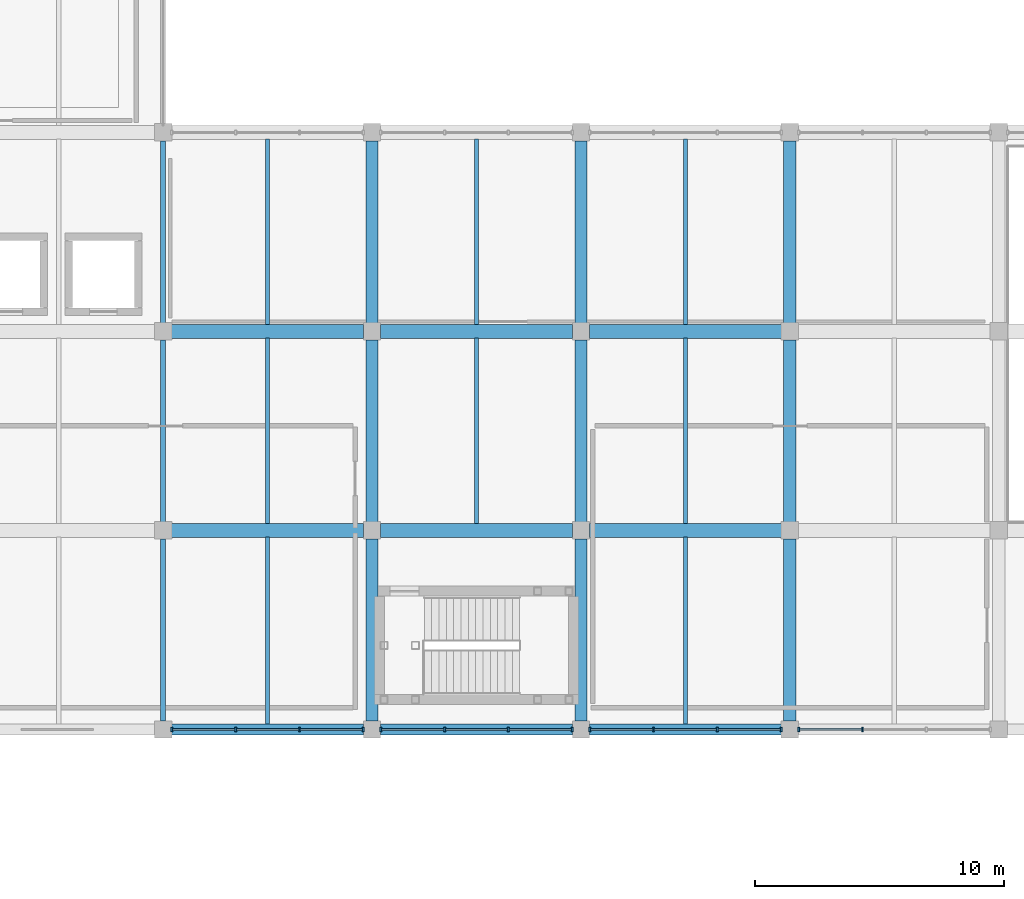
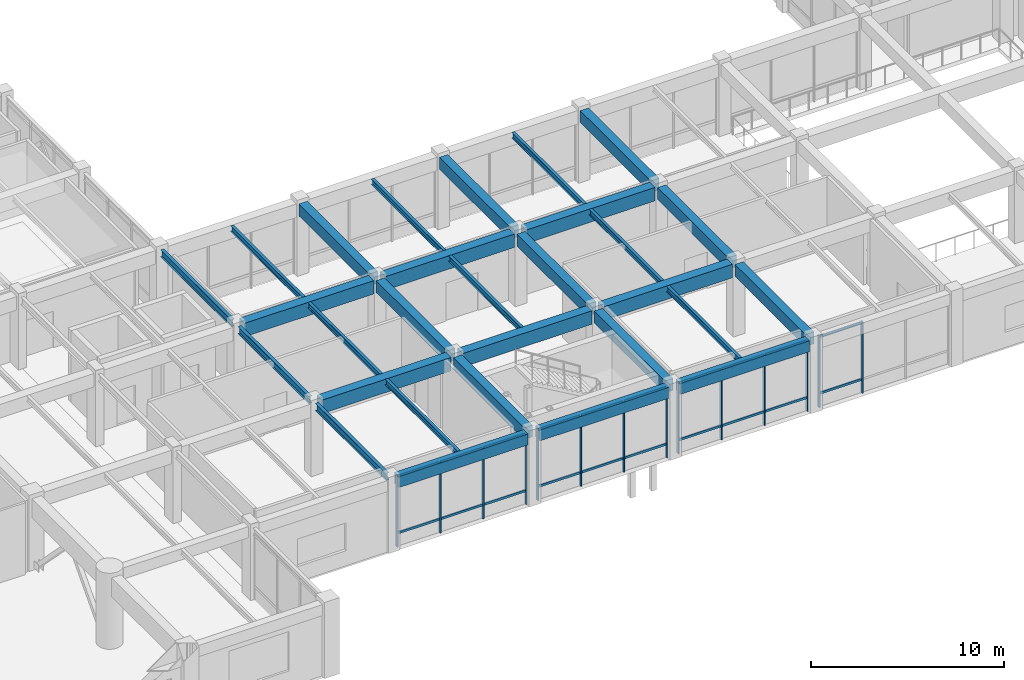
# One storey, part 17 of 76: 34 members, 29 beams, 4 elements without a shape of their own.
"""IFC4 building model written with IfcOpenShell, lengths in metres."""

from ifc_helpers import new_model, si_unit, direction, frame, origin, origin_2d, place, context, subcontext, project, spatial, rectangle, i_section, extrude, material, layer, layer_set, material_profile, profile_set, type_object, element, aggregate, save


model = new_model("IFC4")

# Units and contexts
model_context = context("Model", 3, precision=1e-05, world=origin(), true_north=direction((0.0, 1.0)))
body_context = subcontext(model_context, "Body", "Model", "MODEL_VIEW")
ifc_project = project(units=[si_unit("LENGTHUNIT", "METRE"), si_unit("AREAUNIT", "SQUARE_METRE"), si_unit("VOLUMEUNIT", "CUBIC_METRE"), si_unit("PLANEANGLEUNIT", "RADIAN"), si_unit("MASSUNIT", "GRAM", prefix="KILO")], contexts=[model_context])

# Site, building, storey
site_placement = place(None, origin())
site = spatial("IfcSite", under=ifc_project, at=site_placement, CompositionType="ELEMENT")
building_placement = place(site_placement, origin())
building = spatial("IfcBuilding", under=site, at=building_placement, Name="Naruveol Harbour Congress Hotel", CompositionType="ELEMENT")
storey_placement = place(building_placement, frame((0.0, 0.0, 11.39990234375)))
storey = spatial("IfcBuildingStorey", under=building, at=storey_placement, Name="L02", CompositionType="ELEMENT", Elevation=11.39990234375)

# Beams
ifc_material_1 = material(Name="Concrete C40/50", Category="concrete")
ifc_material_profile_1 = material_profile(ifc_material_1, rectangle(XDim=0.5, YDim=0.75, at=origin_2d()), Name="RCB-500x750")
ifc_profile_set_1 = profile_set([ifc_material_profile_1], Name="Concrete C40/50")
beam_type_1 = type_object("IfcBeamType", Name="RC FLOOR GIRDER 500X750", PredefinedType="BEAM", material=ifc_profile_set_1)
for number, where, z_axis, x_axis, name in (
    (1, (75.60009765625, 8.345947265625, 4.175048828125), (0.0, 1.0, 0.0), (-1.0, 0.0, 0.0), "Transverse girder L03 CB3"),
    (2, (75.60009765625, 16.345947265625, 4.175048828125), (0.0, 1.0, 0.0), (-1.0, 0.0, 0.0), "Transverse girder L03 CB3"),
    (3, (75.60009765625, 24.345947265625, 4.175048828125), (0.0, 1.0, 0.0), (-1.0, 0.0, 0.0), "Transverse girder L03 CB3"),
    (4, (84.0, 8.345947265625, 4.175048828125), (0.0, 1.0, 0.0), (-1.0, 0.0, 0.0), "Transverse girder L03 CB3"),
    (5, (84.0, 16.345947265625, 4.175048828125), (0.0, 1.0, 0.0), (-1.0, 0.0, 0.0), "Transverse girder L03 CB3"),
    (6, (84.0, 24.345947265625, 4.175048828125), (0.0, 1.0, 0.0), (-1.0, 0.0, 0.0), "Transverse girder L03 CB3"),
    (7, (92.39990234375, 8.345947265625, 4.175048828125), (0.0, 1.0, 0.0), (-1.0, 0.0, 0.0), "Transverse girder L03 CB3"),
    (8, (92.39990234375, 16.345947265625, 4.175048828125), (0.0, 1.0, 0.0), (-1.0, 0.0, 0.0), "Transverse girder L03 CB3"),
    (9, (92.39990234375, 24.345947265625, 4.175048828125), (0.0, 1.0, 0.0), (-1.0, 0.0, 0.0), "Transverse girder L03 CB3"),
):
    element("IfcBeam", number, at=place(storey_placement, frame(where, z_axis=z_axis, x_axis=x_axis)), inside=storey, type_object=beam_type_1, Name=name, PredefinedType="BEAM", context=body_context, shape_type="SweptSolid", body=[
        extrude(rectangle(XDim=0.5, YDim=0.75, at=origin_2d()), origin(), (0.0, 0.0, 1.0), 7.30810546875),
    ])
ifc_material_2 = material(Name="Concrete C40/50", Category="concrete")
ifc_material_profile_2 = material_profile(ifc_material_2, rectangle(XDim=0.550048828125, YDim=0.85009765625, at=origin_2d()), Name="RCB-550x850")
ifc_profile_set_2 = profile_set([ifc_material_profile_2], Name="Concrete C40/50")
beam_type_2 = type_object("IfcBeamType", Name="RC PRIMARY GIRDER 550X850", PredefinedType="BEAM", material=ifc_profile_set_2)
for number, where, z_axis, x_axis, name in (
    (10, (67.5458984375, 16.0, 4.125), (1.0, 0.0, 0.0), (0.0, 1.0, 0.0), "Floor girder L03 CB2"),
    (11, (75.946044921875, 16.0, 4.125), (1.0, 0.0, 0.0), (0.0, 1.0, 0.0), "Floor girder L03 CB2"),
    (12, (84.345947265625, 16.0, 4.125), (1.0, 0.0, 0.0), (0.0, 1.0, 0.0), "Floor girder L03 CB2"),
    (13, (67.5458984375, 24.0, 4.125), (1.0, 0.0, 0.0), (0.0, 1.0, 0.0), "Floor girder L03 CB2"),
    (14, (75.946044921875, 24.0, 4.125), (1.0, 0.0, 0.0), (0.0, 1.0, 0.0), "Floor girder L03 CB2"),
    (15, (84.345947265625, 24.0, 4.125), (1.0, 0.0, 0.0), (0.0, 1.0, 0.0), "Floor girder L03 CB2"),
):
    element("IfcBeam", number, at=place(storey_placement, frame(where, z_axis=z_axis, x_axis=x_axis)), inside=storey, type_object=beam_type_2, Name=name, PredefinedType="BEAM", context=body_context, shape_type="SweptSolid", body=[
        extrude(rectangle(XDim=0.550048828125, YDim=0.85009765625, at=origin_2d()), origin(), (0.0, 0.0, 1.0), 7.7080078125),
    ])
ifc_material_3 = material(Name="Concrete C40/50", Category="concrete")
ifc_material_profile_3 = material_profile(ifc_material_3, rectangle(XDim=0.449951171875, YDim=0.699951171875, at=origin_2d()), Name="RCB-450x700")
ifc_profile_set_3 = profile_set([ifc_material_profile_3], Name="Concrete C40/50")
beam_type_3 = type_object("IfcBeamType", Name="RC SPANDREL BEAM 450X700", PredefinedType="SPANDREL", material=ifc_profile_set_3)
for number, where, z_axis, x_axis, name in (
    (16, (67.5458984375, 8.0, 4.2001953125), (1.0, 0.0, 0.0), (0.0, 1.0, 0.0), "Floor girder L03 SPB1"),
    (17, (75.946044921875, 8.0, 4.2001953125), (1.0, 0.0, 0.0), (0.0, 1.0, 0.0), "Floor girder L03 SPB1"),
    (18, (84.345947265625, 8.0, 4.2001953125), (1.0, 0.0, 0.0), (0.0, 1.0, 0.0), "Floor girder L03 SPB1"),
):
    element("IfcBeam", number, at=place(storey_placement, frame(where, z_axis=z_axis, x_axis=x_axis)), inside=storey, type_object=beam_type_3, Name=name, PredefinedType="SPANDREL", context=body_context, shape_type="SweptSolid", body=[
        extrude(rectangle(XDim=0.449951171875, YDim=0.699951171875, at=origin_2d()), origin(), (0.0, 0.0, 1.0), 7.7080078125),
    ])
ifc_material_4 = material(Name="Steel SN490", Category="steel")
ifc_material_profile_4 = material_profile(ifc_material_4, i_section(OverallWidth=0.175048828125, OverallDepth=0.35009765625, WebThickness=0.007080078125, FlangeThickness=0.010986328125, at=origin_2d()), Name="H-350x175x7x11")
ifc_profile_set_4 = profile_set([ifc_material_profile_4], Name="Steel SN490")
beam_type_4 = type_object("IfcBeamType", Name="STEEL SECONDARY JOIST H350", PredefinedType="JOIST", material=ifc_profile_set_4)
for number, where, z_axis, x_axis, name in (
    (19, (71.39990234375, 8.220947265625, 4.375), (0.0, 1.0, 0.0), (-1.0, 0.0, 0.0), "Secondary floor joist L03 SJ2"),
    (20, (88.199951171875, 8.220947265625, 4.375), (0.0, 1.0, 0.0), (-1.0, 0.0, 0.0), "Secondary floor joist L03 SJ2"),
):
    element("IfcBeam", number, at=place(storey_placement, frame(where, z_axis=z_axis, x_axis=x_axis)), inside=storey, type_object=beam_type_4, Name=name, PredefinedType="JOIST", context=body_context, shape_type="SweptSolid", body=[
        extrude(i_section(OverallWidth=0.175048828125, OverallDepth=0.35009765625, WebThickness=0.007080078125, FlangeThickness=0.010986328125, at=origin_2d()), origin(), (0.0, 0.0, 1.0), 7.508056640625),
    ])
for number, where, z_axis, x_axis, name in (
    (21, (71.39990234375, 16.27099609375, 4.375), (0.0, 1.0, 0.0), (-1.0, 0.0, 0.0), "Secondary floor joist L03 SJ2"),
    (22, (79.800048828125, 16.27099609375, 4.375), (0.0, 1.0, 0.0), (-1.0, 0.0, 0.0), "Secondary floor joist L03 SJ2"),
    (23, (88.199951171875, 16.27099609375, 4.375), (0.0, 1.0, 0.0), (-1.0, 0.0, 0.0), "Secondary floor joist L03 SJ2"),
    (24, (71.39990234375, 24.27099609375, 4.364990234375), (0.0, 1.0, 0.0), (-1.0, 0.0, 0.0), "Secondary floor joist L03 SJ2"),
    (25, (79.800048828125, 24.27099609375, 4.375), (0.0, 1.0, 0.0), (-1.0, 0.0, 0.0), "Secondary floor joist L03 SJ2"),
    (26, (88.199951171875, 24.27099609375, 4.375), (0.0, 1.0, 0.0), (-1.0, 0.0, 0.0), "Secondary floor joist L03 SJ2"),
):
    element("IfcBeam", number, at=place(storey_placement, frame(where, z_axis=z_axis, x_axis=x_axis)), inside=storey, type_object=beam_type_4, Name=name, PredefinedType="JOIST", context=body_context, shape_type="SweptSolid", body=[
        extrude(i_section(OverallWidth=0.175048828125, OverallDepth=0.35009765625, WebThickness=0.007080078125, FlangeThickness=0.010986328125, at=origin_2d()), origin(), (0.0, 0.0, 1.0), 7.4580078125),
    ])
ifc_material_5 = material(Name="Steel SN490", Category="steel")
ifc_material_profile_5 = material_profile(ifc_material_5, i_section(OverallWidth=0.199951171875, OverallDepth=0.449951171875, WebThickness=0.009033203125, FlangeThickness=0.013916015625, at=origin_2d()), Name="H-450x200x9x14")
ifc_profile_set_5 = profile_set([ifc_material_profile_5], Name="Steel SN490")
beam_type_5 = type_object("IfcBeamType", Name="STEEL SPANDREL EDGE BEAM H450", PredefinedType="SPANDREL", material=ifc_profile_set_5)
for number, where, z_axis, x_axis, name in (
    (27, (67.199951171875, 8.345947265625, 4.3251953125), (0.0, 1.0, 0.0), (-1.0, 0.0, 0.0), "Transverse girder L03 SPB2"),
    (28, (67.199951171875, 16.345947265625, 4.3251953125), (0.0, 1.0, 0.0), (-1.0, 0.0, 0.0), "Transverse girder L03 SPB2"),
    (29, (67.199951171875, 24.345947265625, 4.315185546875), (0.0, 1.0, 0.0), (-1.0, 0.0, 0.0), "Transverse girder L03 SPB2"),
):
    element("IfcBeam", number, at=place(storey_placement, frame(where, z_axis=z_axis, x_axis=x_axis)), inside=storey, type_object=beam_type_5, Name=name, PredefinedType="SPANDREL", context=body_context, shape_type="SweptSolid", body=[
        extrude(i_section(OverallWidth=0.199951171875, OverallDepth=0.449951171875, WebThickness=0.009033203125, FlangeThickness=0.013916015625, at=origin_2d()), origin(), (0.0, 0.0, 1.0), 7.30810546875),
    ])

# Curtain wall, members
ifc_material_6 = material(Name="Low-E Curtain Wall System", Category="glass")
ifc_layer = layer(ifc_material_6, 0.179931640625)
ifc_layer_set = layer_set([ifc_layer], Name="Low-E Curtain Wall System")
curtain_wall_type = type_object("IfcCurtainWallType", Name="UNITISED CURTAIN WALL CW-V4S-38 7700X4500", PredefinedType="USERDEFINED", material=ifc_layer_set)
curtain_wall_1_placement = place(storey_placement, origin())
curtain_wall_1 = element("IfcCurtainWall", 30, at=curtain_wall_1_placement, inside=storey, type_object=curtain_wall_type, Name="Unitised curtain wall CW-V4S-38 L02", ObjectType="UNITISED GLAZING", PredefinedType="USERDEFINED")
ifc_material_7 = material(Name="Anodised Aluminium 6063-T6", Category="aluminium")
ifc_material_profile_6 = material_profile(ifc_material_7, rectangle(XDim=0.074951171875, YDim=0.179931640625, at=origin_2d()), Name="ALU-75x180")
ifc_profile_set_6 = profile_set([ifc_material_profile_6], Name="Anodised Aluminium 6063-T6")
member_type_1 = type_object("IfcMemberType", Name="THERMAL ALUMINIUM MULLION 75X180", PredefinedType="MULLION", material=ifc_profile_set_6)
member_1_placement = place(storey_placement, frame((95.316650390625, 8.0, 0.0), z_axis=(0.0, 0.0, 1.0), x_axis=(1.0, 0.0, 0.0)))
member_1 = element("IfcMember", 31, at=member_1_placement, type_object=member_type_1, Name="Curtain wall mullion CW-L02-0096-M2", PredefinedType="MULLION", context=body_context, shape_type="SweptSolid", body=[
    extrude(rectangle(XDim=0.074951171875, YDim=0.179931640625, at=origin_2d()), origin(), (0.0, 0.0, 1.0), 4.5),
])
member_2_placement = place(storey_placement, frame((92.75, 8.0, 0.0), z_axis=(0.0, 0.0, 1.0), x_axis=(1.0, 0.0, 0.0)))
member_2 = element("IfcMember", 32, at=member_2_placement, type_object=member_type_1, Name="Curtain wall mullion CW-L02-0096-M3", PredefinedType="MULLION", context=body_context, shape_type="SweptSolid", body=[
    extrude(rectangle(XDim=0.074951171875, YDim=0.179931640625, at=origin_2d()), origin(), (0.0, 0.0, 1.0), 4.5),
])

curtain_wall_2_placement = place(storey_placement, origin())
curtain_wall_2 = element("IfcCurtainWall", 33, at=curtain_wall_2_placement, inside=storey, type_object=curtain_wall_type, Name="Unitised curtain wall CW-V4S-38 L02", ObjectType="UNITISED GLAZING", PredefinedType="USERDEFINED")
member_3_placement = place(storey_placement, frame((92.050048828125, 8.0, 0.0), z_axis=(0.0, 0.0, 1.0), x_axis=(1.0, 0.0, 0.0)))
member_3 = element("IfcMember", 34, at=member_3_placement, type_object=member_type_1, Name="Curtain wall mullion CW-L02-0097-M0", PredefinedType="MULLION", context=body_context, shape_type="SweptSolid", body=[
    extrude(rectangle(XDim=0.074951171875, YDim=0.179931640625, at=origin_2d()), origin(), (0.0, 0.0, 1.0), 4.5),
])
member_4_placement = place(storey_placement, frame((89.4833984375, 8.0, 0.0), z_axis=(0.0, 0.0, 1.0), x_axis=(1.0, 0.0, 0.0)))
member_4 = element("IfcMember", 35, at=member_4_placement, type_object=member_type_1, Name="Curtain wall mullion CW-L02-0097-M1", PredefinedType="MULLION", context=body_context, shape_type="SweptSolid", body=[
    extrude(rectangle(XDim=0.074951171875, YDim=0.179931640625, at=origin_2d()), origin(), (0.0, 0.0, 1.0), 4.5),
])
member_5_placement = place(storey_placement, frame((86.916748046875, 8.0, 0.0), z_axis=(0.0, 0.0, 1.0), x_axis=(1.0, 0.0, 0.0)))
member_5 = element("IfcMember", 36, at=member_5_placement, type_object=member_type_1, Name="Curtain wall mullion CW-L02-0097-M2", PredefinedType="MULLION", context=body_context, shape_type="SweptSolid", body=[
    extrude(rectangle(XDim=0.074951171875, YDim=0.179931640625, at=origin_2d()), origin(), (0.0, 0.0, 1.0), 4.5),
])
member_6_placement = place(storey_placement, frame((84.35009765625, 8.0, 0.0), z_axis=(0.0, 0.0, 1.0), x_axis=(1.0, 0.0, 0.0)))
member_6 = element("IfcMember", 37, at=member_6_placement, type_object=member_type_1, Name="Curtain wall mullion CW-L02-0097-M3", PredefinedType="MULLION", context=body_context, shape_type="SweptSolid", body=[
    extrude(rectangle(XDim=0.074951171875, YDim=0.179931640625, at=origin_2d()), origin(), (0.0, 0.0, 1.0), 4.5),
])

curtain_wall_3_placement = place(storey_placement, origin())
curtain_wall_3 = element("IfcCurtainWall", 38, at=curtain_wall_3_placement, inside=storey, type_object=curtain_wall_type, Name="Unitised curtain wall CW-V4S-38 L02", ObjectType="UNITISED GLAZING", PredefinedType="USERDEFINED")
member_7_placement = place(storey_placement, frame((83.64990234375, 8.0, 0.0), z_axis=(0.0, 0.0, 1.0), x_axis=(1.0, 0.0, 0.0)))
member_7 = element("IfcMember", 39, at=member_7_placement, type_object=member_type_1, Name="Curtain wall mullion CW-L02-0098-M0", PredefinedType="MULLION", context=body_context, shape_type="SweptSolid", body=[
    extrude(rectangle(XDim=0.074951171875, YDim=0.179931640625, at=origin_2d()), origin(), (0.0, 0.0, 1.0), 4.5),
])
member_8_placement = place(storey_placement, frame((81.083251953125, 8.0, 0.0), z_axis=(0.0, 0.0, 1.0), x_axis=(1.0, 0.0, 0.0)))
member_8 = element("IfcMember", 40, at=member_8_placement, type_object=member_type_1, Name="Curtain wall mullion CW-L02-0098-M1", PredefinedType="MULLION", context=body_context, shape_type="SweptSolid", body=[
    extrude(rectangle(XDim=0.074951171875, YDim=0.179931640625, at=origin_2d()), origin(), (0.0, 0.0, 1.0), 4.5),
])
member_9_placement = place(storey_placement, frame((78.5166015625, 8.0, 0.0), z_axis=(0.0, 0.0, 1.0), x_axis=(1.0, 0.0, 0.0)))
member_9 = element("IfcMember", 41, at=member_9_placement, type_object=member_type_1, Name="Curtain wall mullion CW-L02-0098-M2", PredefinedType="MULLION", context=body_context, shape_type="SweptSolid", body=[
    extrude(rectangle(XDim=0.074951171875, YDim=0.179931640625, at=origin_2d()), origin(), (0.0, 0.0, 1.0), 4.5),
])
member_10_placement = place(storey_placement, frame((75.949951171875, 8.0, 0.0), z_axis=(0.0, 0.0, 1.0), x_axis=(1.0, 0.0, 0.0)))
member_10 = element("IfcMember", 42, at=member_10_placement, type_object=member_type_1, Name="Curtain wall mullion CW-L02-0098-M3", PredefinedType="MULLION", context=body_context, shape_type="SweptSolid", body=[
    extrude(rectangle(XDim=0.074951171875, YDim=0.179931640625, at=origin_2d()), origin(), (0.0, 0.0, 1.0), 4.5),
])

curtain_wall_4_placement = place(storey_placement, origin())
curtain_wall_4 = element("IfcCurtainWall", 43, at=curtain_wall_4_placement, inside=storey, type_object=curtain_wall_type, Name="Unitised curtain wall CW-V4S-38 L02", ObjectType="UNITISED GLAZING", PredefinedType="USERDEFINED")
member_11_placement = place(storey_placement, frame((75.25, 8.0, 0.0), z_axis=(0.0, 0.0, 1.0), x_axis=(1.0, 0.0, 0.0)))
member_11 = element("IfcMember", 44, at=member_11_placement, type_object=member_type_1, Name="Curtain wall mullion CW-L02-0099-M0", PredefinedType="MULLION", context=body_context, shape_type="SweptSolid", body=[
    extrude(rectangle(XDim=0.074951171875, YDim=0.179931640625, at=origin_2d()), origin(), (0.0, 0.0, 1.0), 4.5),
])
member_12_placement = place(storey_placement, frame((72.683349609375, 8.0, 0.0), z_axis=(0.0, 0.0, 1.0), x_axis=(1.0, 0.0, 0.0)))
member_12 = element("IfcMember", 45, at=member_12_placement, type_object=member_type_1, Name="Curtain wall mullion CW-L02-0099-M1", PredefinedType="MULLION", context=body_context, shape_type="SweptSolid", body=[
    extrude(rectangle(XDim=0.074951171875, YDim=0.179931640625, at=origin_2d()), origin(), (0.0, 0.0, 1.0), 4.5),
])
member_13_placement = place(storey_placement, frame((70.11669921875, 8.0, 0.0), z_axis=(0.0, 0.0, 1.0), x_axis=(1.0, 0.0, 0.0)))
member_13 = element("IfcMember", 46, at=member_13_placement, type_object=member_type_1, Name="Curtain wall mullion CW-L02-0099-M2", PredefinedType="MULLION", context=body_context, shape_type="SweptSolid", body=[
    extrude(rectangle(XDim=0.074951171875, YDim=0.179931640625, at=origin_2d()), origin(), (0.0, 0.0, 1.0), 4.5),
])
member_14_placement = place(storey_placement, frame((67.550048828125, 8.0, 0.0), z_axis=(0.0, 0.0, 1.0), x_axis=(1.0, 0.0, 0.0)))
member_14 = element("IfcMember", 47, at=member_14_placement, type_object=member_type_1, Name="Curtain wall mullion CW-L02-0099-M3", PredefinedType="MULLION", context=body_context, shape_type="SweptSolid", body=[
    extrude(rectangle(XDim=0.074951171875, YDim=0.179931640625, at=origin_2d()), origin(), (0.0, 0.0, 1.0), 4.5),
])

# Member
ifc_material_8 = material(Name="Anodised Aluminium 6063-T6", Category="aluminium")
ifc_material_profile_7 = material_profile(ifc_material_8, rectangle(XDim=0.074951171875, YDim=0.14990234375, at=origin_2d()), Name="ALU-75x150")
ifc_profile_set_7 = profile_set([ifc_material_profile_7], Name="Anodised Aluminium 6063-T6")
member_type_2 = type_object("IfcMemberType", Name="THERMAL ALUMINIUM TRANSOM 75X150", PredefinedType="USERDEFINED", material=ifc_profile_set_7)
member_15_placement = place(storey_placement, frame((95.276611328125, 8.0, 0.85009765625), z_axis=(-1.0, 0.0, 0.0), x_axis=(0.0, -1.0, 0.0)))
member_15 = element("IfcMember", 48, at=member_15_placement, type_object=member_type_2, Name="Curtain wall transom CW-L02-0096-T2.1", ObjectType="TRANSOM", PredefinedType="USERDEFINED", context=body_context, shape_type="SweptSolid", body=[
    extrude(rectangle(XDim=0.074951171875, YDim=0.14990234375, at=origin_2d()), origin(), (0.0, 0.0, 1.0), 2.486572265625),
])

member_16_placement = place(storey_placement, frame((95.276611328125, 8.0, 4.420166015625), z_axis=(-1.0, 0.0, 0.0), x_axis=(0.0, -1.0, 0.0)))
member_16 = element("IfcMember", 49, at=member_16_placement, type_object=member_type_2, Name="Curtain wall transom CW-L02-0096-T2.2", ObjectType="TRANSOM", PredefinedType="USERDEFINED", context=body_context, shape_type="SweptSolid", body=[
    extrude(rectangle(XDim=0.074951171875, YDim=0.14990234375, at=origin_2d()), origin(), (0.0, 0.0, 1.0), 2.486572265625),
])

aggregate(curtain_wall_1, [member_1, member_2, member_15, member_16])

member_17_placement = place(storey_placement, frame((92.010009765625, 8.0, 0.85009765625), z_axis=(-1.0, 0.0, 0.0), x_axis=(0.0, -1.0, 0.0)))
member_17 = element("IfcMember", 50, at=member_17_placement, type_object=member_type_2, Name="Curtain wall transom CW-L02-0097-T0.1", ObjectType="TRANSOM", PredefinedType="USERDEFINED", context=body_context, shape_type="SweptSolid", body=[
    extrude(rectangle(XDim=0.074951171875, YDim=0.14990234375, at=origin_2d()), origin(), (0.0, 0.0, 1.0), 2.48681640625),
])

member_18_placement = place(storey_placement, frame((92.010009765625, 8.0, 4.420166015625), z_axis=(-1.0, 0.0, 0.0), x_axis=(0.0, -1.0, 0.0)))
member_18 = element("IfcMember", 51, at=member_18_placement, type_object=member_type_2, Name="Curtain wall transom CW-L02-0097-T0.2", ObjectType="TRANSOM", PredefinedType="USERDEFINED", context=body_context, shape_type="SweptSolid", body=[
    extrude(rectangle(XDim=0.074951171875, YDim=0.14990234375, at=origin_2d()), origin(), (0.0, 0.0, 1.0), 2.48681640625),
])

member_19_placement = place(storey_placement, frame((89.443359375, 8.0, 0.85009765625), z_axis=(-1.0, 0.0, 0.0), x_axis=(0.0, -1.0, 0.0)))
member_19 = element("IfcMember", 52, at=member_19_placement, type_object=member_type_2, Name="Curtain wall transom CW-L02-0097-T1.1", ObjectType="TRANSOM", PredefinedType="USERDEFINED", context=body_context, shape_type="SweptSolid", body=[
    extrude(rectangle(XDim=0.074951171875, YDim=0.14990234375, at=origin_2d()), origin(), (0.0, 0.0, 1.0), 2.486572265625),
])

member_20_placement = place(storey_placement, frame((89.443359375, 8.0, 4.420166015625), z_axis=(-1.0, 0.0, 0.0), x_axis=(0.0, -1.0, 0.0)))
member_20 = element("IfcMember", 53, at=member_20_placement, type_object=member_type_2, Name="Curtain wall transom CW-L02-0097-T1.2", ObjectType="TRANSOM", PredefinedType="USERDEFINED", context=body_context, shape_type="SweptSolid", body=[
    extrude(rectangle(XDim=0.074951171875, YDim=0.14990234375, at=origin_2d()), origin(), (0.0, 0.0, 1.0), 2.486572265625),
])

member_21_placement = place(storey_placement, frame((86.876708984375, 8.0, 0.85009765625), z_axis=(-1.0, 0.0, 0.0), x_axis=(0.0, -1.0, 0.0)))
member_21 = element("IfcMember", 54, at=member_21_placement, type_object=member_type_2, Name="Curtain wall transom CW-L02-0097-T2.1", ObjectType="TRANSOM", PredefinedType="USERDEFINED", context=body_context, shape_type="SweptSolid", body=[
    extrude(rectangle(XDim=0.074951171875, YDim=0.14990234375, at=origin_2d()), origin(), (0.0, 0.0, 1.0), 2.48681640625),
])

member_22_placement = place(storey_placement, frame((86.876708984375, 8.0, 4.420166015625), z_axis=(-1.0, 0.0, 0.0), x_axis=(0.0, -1.0, 0.0)))
member_22 = element("IfcMember", 55, at=member_22_placement, type_object=member_type_2, Name="Curtain wall transom CW-L02-0097-T2.2", ObjectType="TRANSOM", PredefinedType="USERDEFINED", context=body_context, shape_type="SweptSolid", body=[
    extrude(rectangle(XDim=0.074951171875, YDim=0.14990234375, at=origin_2d()), origin(), (0.0, 0.0, 1.0), 2.48681640625),
])

aggregate(curtain_wall_2, [member_3, member_4, member_5, member_6, member_17, member_18, member_19, member_20, member_21, member_22])

member_23_placement = place(storey_placement, frame((83.610107421875, 8.0, 0.85009765625), z_axis=(-1.0, 0.0, 0.0), x_axis=(0.0, -1.0, 0.0)))
member_23 = element("IfcMember", 56, at=member_23_placement, type_object=member_type_2, Name="Curtain wall transom CW-L02-0098-T0.1", ObjectType="TRANSOM", PredefinedType="USERDEFINED", context=body_context, shape_type="SweptSolid", body=[
    extrude(rectangle(XDim=0.074951171875, YDim=0.14990234375, at=origin_2d()), origin(), (0.0, 0.0, 1.0), 2.48681640625),
])

member_24_placement = place(storey_placement, frame((83.610107421875, 8.0, 4.420166015625), z_axis=(-1.0, 0.0, 0.0), x_axis=(0.0, -1.0, 0.0)))
member_24 = element("IfcMember", 57, at=member_24_placement, type_object=member_type_2, Name="Curtain wall transom CW-L02-0098-T0.2", ObjectType="TRANSOM", PredefinedType="USERDEFINED", context=body_context, shape_type="SweptSolid", body=[
    extrude(rectangle(XDim=0.074951171875, YDim=0.14990234375, at=origin_2d()), origin(), (0.0, 0.0, 1.0), 2.48681640625),
])

member_25_placement = place(storey_placement, frame((81.043212890625, 8.0, 0.85009765625), z_axis=(-1.0, 0.0, 0.0), x_axis=(0.0, -1.0, 0.0)))
member_25 = element("IfcMember", 58, at=member_25_placement, type_object=member_type_2, Name="Curtain wall transom CW-L02-0098-T1.1", ObjectType="TRANSOM", PredefinedType="USERDEFINED", context=body_context, shape_type="SweptSolid", body=[
    extrude(rectangle(XDim=0.074951171875, YDim=0.14990234375, at=origin_2d()), origin(), (0.0, 0.0, 1.0), 2.486572265625),
])

member_26_placement = place(storey_placement, frame((81.043212890625, 8.0, 4.420166015625), z_axis=(-1.0, 0.0, 0.0), x_axis=(0.0, -1.0, 0.0)))
member_26 = element("IfcMember", 59, at=member_26_placement, type_object=member_type_2, Name="Curtain wall transom CW-L02-0098-T1.2", ObjectType="TRANSOM", PredefinedType="USERDEFINED", context=body_context, shape_type="SweptSolid", body=[
    extrude(rectangle(XDim=0.074951171875, YDim=0.14990234375, at=origin_2d()), origin(), (0.0, 0.0, 1.0), 2.486572265625),
])

member_27_placement = place(storey_placement, frame((78.476806640625, 8.0, 0.85009765625), z_axis=(-1.0, 0.0, 0.0), x_axis=(0.0, -1.0, 0.0)))
member_27 = element("IfcMember", 60, at=member_27_placement, type_object=member_type_2, Name="Curtain wall transom CW-L02-0098-T2.1", ObjectType="TRANSOM", PredefinedType="USERDEFINED", context=body_context, shape_type="SweptSolid", body=[
    extrude(rectangle(XDim=0.074951171875, YDim=0.14990234375, at=origin_2d()), origin(), (0.0, 0.0, 1.0), 2.48681640625),
])

member_28_placement = place(storey_placement, frame((78.476806640625, 8.0, 4.420166015625), z_axis=(-1.0, 0.0, 0.0), x_axis=(0.0, -1.0, 0.0)))
member_28 = element("IfcMember", 61, at=member_28_placement, type_object=member_type_2, Name="Curtain wall transom CW-L02-0098-T2.2", ObjectType="TRANSOM", PredefinedType="USERDEFINED", context=body_context, shape_type="SweptSolid", body=[
    extrude(rectangle(XDim=0.074951171875, YDim=0.14990234375, at=origin_2d()), origin(), (0.0, 0.0, 1.0), 2.48681640625),
])

aggregate(curtain_wall_3, [member_7, member_8, member_9, member_10, member_23, member_24, member_25, member_26, member_27, member_28])

member_29_placement = place(storey_placement, frame((75.2099609375, 8.0, 0.85009765625), z_axis=(-1.0, 0.0, 0.0), x_axis=(0.0, -1.0, 0.0)))
member_29 = element("IfcMember", 62, at=member_29_placement, type_object=member_type_2, Name="Curtain wall transom CW-L02-0099-T0.1", ObjectType="TRANSOM", PredefinedType="USERDEFINED", context=body_context, shape_type="SweptSolid", body=[
    extrude(rectangle(XDim=0.074951171875, YDim=0.14990234375, at=origin_2d()), origin(), (0.0, 0.0, 1.0), 2.486572265625),
])

member_30_placement = place(storey_placement, frame((75.2099609375, 8.0, 4.420166015625), z_axis=(-1.0, 0.0, 0.0), x_axis=(0.0, -1.0, 0.0)))
member_30 = element("IfcMember", 63, at=member_30_placement, type_object=member_type_2, Name="Curtain wall transom CW-L02-0099-T0.2", ObjectType="TRANSOM", PredefinedType="USERDEFINED", context=body_context, shape_type="SweptSolid", body=[
    extrude(rectangle(XDim=0.074951171875, YDim=0.14990234375, at=origin_2d()), origin(), (0.0, 0.0, 1.0), 2.486572265625),
])

member_31_placement = place(storey_placement, frame((72.643310546875, 8.0, 0.85009765625), z_axis=(-1.0, 0.0, 0.0), x_axis=(0.0, -1.0, 0.0)))
member_31 = element("IfcMember", 64, at=member_31_placement, type_object=member_type_2, Name="Curtain wall transom CW-L02-0099-T1.1", ObjectType="TRANSOM", PredefinedType="USERDEFINED", context=body_context, shape_type="SweptSolid", body=[
    extrude(rectangle(XDim=0.074951171875, YDim=0.14990234375, at=origin_2d()), origin(), (0.0, 0.0, 1.0), 2.486572265625),
])

member_32_placement = place(storey_placement, frame((72.643310546875, 8.0, 4.420166015625), z_axis=(-1.0, 0.0, 0.0), x_axis=(0.0, -1.0, 0.0)))
member_32 = element("IfcMember", 65, at=member_32_placement, type_object=member_type_2, Name="Curtain wall transom CW-L02-0099-T1.2", ObjectType="TRANSOM", PredefinedType="USERDEFINED", context=body_context, shape_type="SweptSolid", body=[
    extrude(rectangle(XDim=0.074951171875, YDim=0.14990234375, at=origin_2d()), origin(), (0.0, 0.0, 1.0), 2.486572265625),
])

member_33_placement = place(storey_placement, frame((70.07666015625, 8.0, 0.85009765625), z_axis=(-1.0, 0.0, 0.0), x_axis=(0.0, -1.0, 0.0)))
member_33 = element("IfcMember", 66, at=member_33_placement, type_object=member_type_2, Name="Curtain wall transom CW-L02-0099-T2.1", ObjectType="TRANSOM", PredefinedType="USERDEFINED", context=body_context, shape_type="SweptSolid", body=[
    extrude(rectangle(XDim=0.074951171875, YDim=0.14990234375, at=origin_2d()), origin(), (0.0, 0.0, 1.0), 2.486572265625),
])

member_34_placement = place(storey_placement, frame((70.07666015625, 8.0, 4.420166015625), z_axis=(-1.0, 0.0, 0.0), x_axis=(0.0, -1.0, 0.0)))
member_34 = element("IfcMember", 67, at=member_34_placement, type_object=member_type_2, Name="Curtain wall transom CW-L02-0099-T2.2", ObjectType="TRANSOM", PredefinedType="USERDEFINED", context=body_context, shape_type="SweptSolid", body=[
    extrude(rectangle(XDim=0.074951171875, YDim=0.14990234375, at=origin_2d()), origin(), (0.0, 0.0, 1.0), 2.486572265625),
])

aggregate(curtain_wall_4, [member_11, member_12, member_13, member_14, member_29, member_30, member_31, member_32, member_33, member_34])

save(model, "model.ifc")
